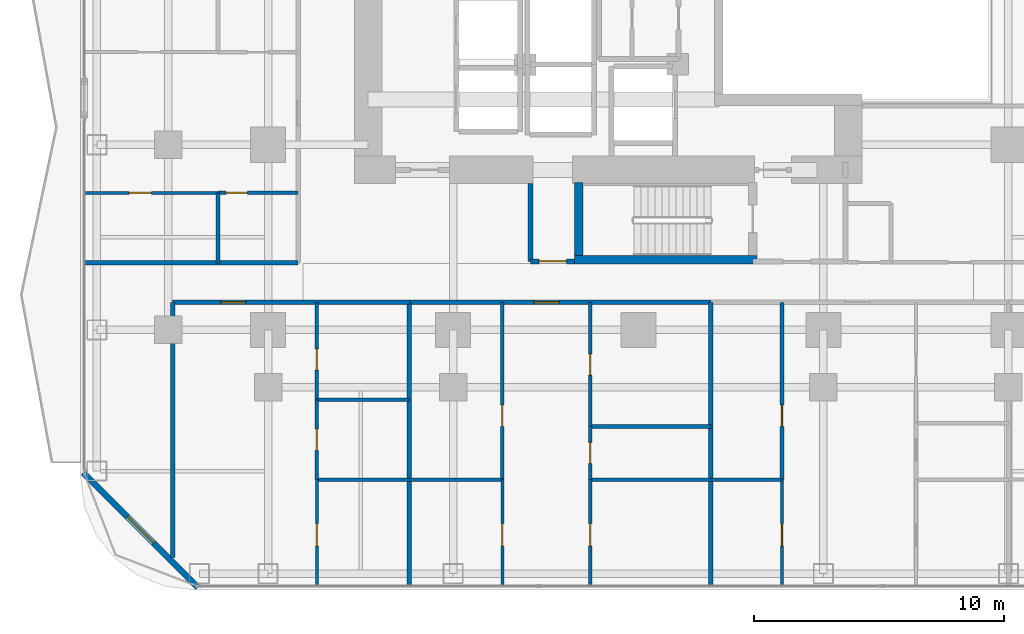
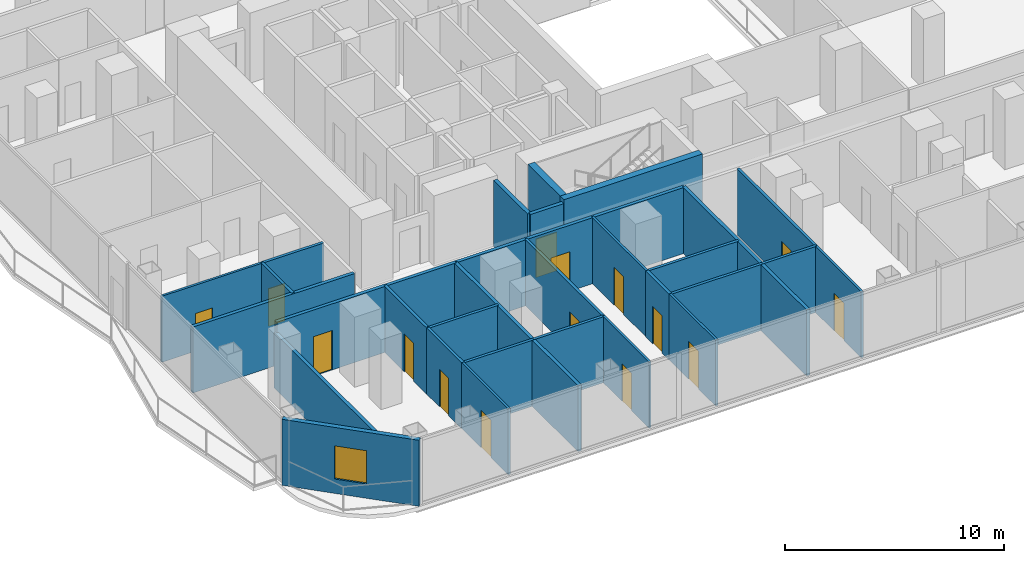
# One storey, part 20 of 28: 30 walls, 15 doors, 1 window, 16 openings.
"""IFC4 building model written with IfcOpenShell, lengths in metres."""

from ifc_helpers import new_model, si_unit, direction, frame, frame_2d, origin, place, context, subcontext, project, spatial, rectangle, extrude, material, layer, layer_set, type_object, element, fill, save


model = new_model("IFC4")

# Units and contexts
model_context = context("Model", 3, precision=1e-05, world=origin(), true_north=direction((0.0, 1.0)))
body_context = subcontext(model_context, "Body", "Model", "MODEL_VIEW")
ifc_project = project(units=[si_unit("LENGTHUNIT", "METRE"), si_unit("AREAUNIT", "SQUARE_METRE"), si_unit("VOLUMEUNIT", "CUBIC_METRE"), si_unit("PLANEANGLEUNIT", "RADIAN"), si_unit("MASSUNIT", "GRAM", prefix="KILO")], contexts=[model_context])

# Site, building, storey
site_placement = place(None, origin())
site = spatial("IfcSite", under=ifc_project, at=site_placement, CompositionType="ELEMENT")
building_placement = place(site_placement, origin())
building = spatial("IfcBuilding", under=site, at=building_placement, Name="Khorvyn Point Tower", CompositionType="ELEMENT")
storey_placement = place(building_placement, frame((0.0, 0.0, 34.5)))
storey = spatial("IfcBuildingStorey", under=building, at=storey_placement, Name="L09", CompositionType="ELEMENT", Elevation=34.5)

# Wall, opening, door
ifc_material_1 = material(Name="Double acoustic gypsum on twin steel stud", Category="steel")
ifc_layer_1 = layer(ifc_material_1, 0.179931640625)
ifc_layer_set_1 = layer_set([ifc_layer_1], Name="Acoustic Double-Stud Apartment Demising Wall 180")
wall_type_1 = type_object("IfcWallType", Name="Acoustic Double-Stud Apartment Demising Wall 180", PredefinedType="PARTITIONING", material=ifc_layer_set_1)
wall_1_placement = place(storey_placement, frame((-18.6201171875, -13.699951171875, 0.0), z_axis=(0.0, 0.0, 1.0), x_axis=(1.0, 0.0, 0.0)))
wall_1 = element("IfcWall", 1, at=wall_1_placement, inside=storey, type_object=wall_type_1, Name="Wall", PredefinedType="PARTITIONING", context=body_context, shape_type="SweptSolid", body=[
    extrude(rectangle(XDim=9.46923828125, YDim=0.179931640625, at=frame_2d((4.734619140625, 0.0))), origin(), (0.0, 0.0, 1.0), 3.679931640625),
])
opening_1_placement = place(wall_1_placement, frame((1.931396484375, 0.0, 0.0)))
opening_1 = element("IfcOpeningElement", 2, at=opening_1_placement, cuts=wall_1, Name="Opening ID-AP60", PredefinedType="OPENING", context=body_context, shape_type="SweptSolid", body=[
    extrude(rectangle(XDim=1.0, YDim=2.199951171875, at=frame_2d((0.5, 1.10009765625))), frame((0.0, 0.099853515625, 0.0), z_axis=(0.0, -1.0, 0.0), x_axis=(1.0, 0.0, 0.0)), (0.0, 0.0, 1.0), 0.199951171875),
])
ifc_material_2 = material(Name="Engineered hardwood fire-rated leaf", Category="wood")
door_type_1 = type_object("IfcDoorType", Name="Acoustic Solid-Core Timber Apartment Entrance Door 1000x2200", OperationType="NOTDEFINED", PredefinedType="DOOR", material=ifc_material_2)
door_1_placement = place(opening_1_placement, origin())
door_1 = element("IfcDoor", 3, at=door_1_placement, inside=storey, type_object=door_type_1, Name="Door", OperationType="SINGLE_SWING_LEFT", OverallHeight=2.199951171875, OverallWidth=1.0, PredefinedType="DOOR", context=body_context, shape_type="SweptSolid", body=[
    extrude(rectangle(XDim=1.0, YDim=2.199951171875, at=frame_2d((0.5, 1.10009765625))), frame((0.0, 0.02490234375, 0.0), z_axis=(0.0, -1.0, 0.0), x_axis=(1.0, 0.0, 0.0)), (0.0, 0.0, 1.0), 0.050048828125),
])
fill(opening_1, door_1)

wall_2_placement = place(storey_placement, frame((-9.15087890625, -13.699951171875, 0.0), z_axis=(0.0, 0.0, 1.0), x_axis=(1.0, 0.0, 0.0)))
wall_2 = element("IfcWall", 4, at=wall_2_placement, inside=storey, type_object=wall_type_1, Name="Wall", PredefinedType="PARTITIONING", context=body_context, shape_type="SweptSolid", body=[
    extrude(rectangle(XDim=12.05078125, YDim=0.179931640625, at=frame_2d((6.025390625, 0.0))), origin(), (0.0, 0.0, 1.0), 3.679931640625),
])
opening_2_placement = place(wall_2_placement, frame((4.989013671875, 0.0, 0.0)))
opening_2 = element("IfcOpeningElement", 5, at=opening_2_placement, cuts=wall_2, Name="Opening ID-AP60", PredefinedType="OPENING", context=body_context, shape_type="SweptSolid", body=[
    extrude(rectangle(XDim=1.0, YDim=2.199951171875, at=frame_2d((0.5, 1.10009765625))), frame((0.0, 0.099853515625, 0.0), z_axis=(0.0, -1.0, 0.0), x_axis=(1.0, 0.0, 0.0)), (0.0, 0.0, 1.0), 0.199951171875),
])
door_2_placement = place(opening_2_placement, origin())
door_2 = element("IfcDoor", 6, at=door_2_placement, inside=storey, type_object=door_type_1, Name="Door", OperationType="SINGLE_SWING_LEFT", OverallHeight=2.199951171875, OverallWidth=1.0, PredefinedType="DOOR", context=body_context, shape_type="SweptSolid", body=[
    extrude(rectangle(XDim=1.0, YDim=2.199951171875, at=frame_2d((0.5, 1.10009765625))), frame((0.0, 0.02490234375, 0.0), z_axis=(0.0, -1.0, 0.0), x_axis=(1.0, 0.0, 0.0)), (0.0, 0.0, 1.0), 0.050048828125),
])
fill(opening_2, door_2)

# Walls
wall_3_placement = place(storey_placement, frame((-18.6201171875, -23.909912109375, 0.0), z_axis=(0.0, 0.0, 1.0), x_axis=(0.0, 1.0, 0.0)))
element("IfcWall", 7, at=wall_3_placement, inside=storey, type_object=wall_type_1, Name="Wall", PredefinedType="PARTITIONING", context=body_context, shape_type="SweptSolid", body=[
    extrude(rectangle(XDim=10.2099609375, YDim=0.179931640625, at=frame_2d((5.10498046875, 0.0))), origin(), (0.0, 0.0, 1.0), 3.08203125),
])
for number, where, z_axis, x_axis, name in (
    (8, (-9.15087890625, -25.030029296875, 0.0), (0.0, 0.0, 1.0), (0.0, 1.0, 0.0), "Wall"),
    (9, (2.89990234375, -25.030029296875, 0.0), (0.0, 0.0, 1.0), (0.0, 1.0, 0.0), "Wall"),
):
    element("IfcWall", number, at=place(storey_placement, frame(where, z_axis=z_axis, x_axis=x_axis)), inside=storey, type_object=wall_type_1, Name=name, PredefinedType="PARTITIONING", context=body_context, shape_type="SweptSolid", body=[
        extrude(rectangle(XDim=11.330078125, YDim=0.179931640625, at=frame_2d((5.6650390625, 0.0))), origin(), (0.0, 0.0, 1.0), 3.679931640625),
    ])
wall_4_placement = place(storey_placement, frame((-22.1298828125, -12.1201171875, 0.0), z_axis=(0.0, 0.0, 1.0), x_axis=(1.0, 0.0, 0.0)))
element("IfcWall", 10, at=wall_4_placement, inside=storey, type_object=wall_type_1, Name="Wall", PredefinedType="PARTITIONING", context=body_context, shape_type="SweptSolid", body=[
    extrude(rectangle(XDim=8.52978515625, YDim=0.179931640625, at=frame_2d((4.264892578125, 0.0))), origin(), (0.0, 0.0, 1.0), 3.679931640625),
])

# Wall, opening, window
ifc_material_3 = material(Name="Pale anodised aluminium rainscreen on steel stud", Category="steel")
ifc_layer_2 = layer(ifc_material_3, 0.239990234375)
ifc_layer_set_2 = layer_set([ifc_layer_2], Name="Anodised Aluminium Insulated Corner Spandrel Wall 240")
wall_type_2 = type_object("IfcWallType", Name="Anodised Aluminium Insulated Corner Spandrel Wall 240", PredefinedType="SOLIDWALL", material=ifc_layer_set_2)
wall_5_placement = place(storey_placement, frame((-17.607666015625, -25.09228515625, 0.0), z_axis=(0.0, 0.0, 1.0), x_axis=(-0.707106781187, 0.707106781187, 0.0)))
wall_5 = element("IfcWall", 11, at=wall_5_placement, inside=storey, type_object=wall_type_2, Name="L09 Rounded Corner Wall SW", PredefinedType="SOLIDWALL", context=body_context, shape_type="SweptSolid", body=[
    extrude(rectangle(XDim=6.48388671875, YDim=0.239990234375, at=frame_2d((3.241943359375, 0.0))), origin(), (0.0, 0.0, 1.0), 3.679931640625),
])
opening_3_placement = place(wall_5_placement, frame((2.491943359375, 0.0, 0.800048828125)))
opening_3 = element("IfcOpeningElement", 12, at=opening_3_placement, cuts=wall_5, Name="Opening WN-1518", PredefinedType="OPENING", context=body_context, shape_type="SweptSolid", body=[
    extrude(rectangle(XDim=1.5, YDim=1.85009765625, at=frame_2d((0.75, 0.925048828125))), frame((0.0, 0.1298828125, 0.0), z_axis=(0.0, -1.0, 0.0), x_axis=(1.0, 0.0, 0.0)), (0.0, 0.0, 1.0), 0.260009765625),
])
ifc_material_4 = material(Name="Anodised aluminium 6063-T6 and laminated Low-E glass", Category="aluminium")
window_type = type_object("IfcWindowType", Name="Anodised Aluminium Rounded-Corner Panoramic Window 1500x1850", PartitioningType="SINGLE_PANEL", PredefinedType="WINDOW", material=ifc_material_4)
window_placement = place(opening_3_placement, origin())
window = element("IfcWindow", 13, at=window_placement, inside=storey, type_object=window_type, Name="L09 Corner Panoramic Window SW", OverallHeight=1.85009765625, OverallWidth=1.5, PartitioningType="SINGLE_PANEL", PredefinedType="WINDOW", context=body_context, shape_type="SweptSolid", body=[
    extrude(rectangle(XDim=1.5, YDim=1.85009765625, at=frame_2d((0.75, 0.925048828125))), frame((0.0, 0.030029296875, 0.0), z_axis=(0.0, -1.0, 0.0), x_axis=(1.0, 0.0, 0.0)), (0.0, 0.0, 1.0), 0.06005859375),
])
fill(opening_3, window)

# Wall, opening, door
ifc_material_5 = material(Name="Concrete C40/50", Category="concrete")
ifc_layer_3 = layer(ifc_material_5, 0.199951171875)
ifc_layer_set_3 = layer_set([ifc_layer_3], Name="Concrete C40/50 Fire-Lobby Compartment Wall 200")
wall_type_3 = type_object("IfcWallType", Name="Concrete C40/50 Fire-Lobby Compartment Wall 200", PredefinedType="SOLIDWALL", material=ifc_layer_set_3)
wall_6_placement = place(storey_placement, frame((-4.300048828125, -12.06005859375, 0.0), z_axis=(0.0, 0.0, 1.0), x_axis=(1.0, 0.0, 0.0)))
wall_6 = element("IfcWall", 14, at=wall_6_placement, inside=storey, type_object=wall_type_3, Name="Wall", PredefinedType="SOLIDWALL", context=body_context, shape_type="SweptSolid", body=[
    extrude(rectangle(XDim=1.75, YDim=0.199951171875, at=frame_2d((0.875, 0.0))), origin(), (0.0, 0.0, 1.0), 3.679931640625),
])
opening_4_placement = place(wall_6_placement, frame((0.324951171875, 0.0, 0.0)))
opening_4 = element("IfcOpeningElement", 15, at=opening_4_placement, cuts=wall_6, Name="Opening ID-FL90", PredefinedType="OPENING", context=body_context, shape_type="SweptSolid", body=[
    extrude(rectangle(XDim=1.10009765625, YDim=2.14990234375, at=frame_2d((0.550048828125, 1.074951171875))), frame((0.0, 0.10986328125, 0.0), z_axis=(0.0, -1.0, 0.0), x_axis=(1.0, 0.0, 0.0)), (0.0, 0.0, 1.0), 0.219970703125),
])
ifc_material_6 = material(Name="Galvanised powder-coated steel", Category="steel")
door_type_2 = type_object("IfcDoorType", Name="Fire-Rated Steel Lobby and Stair Door 1100x2150", OperationType="NOTDEFINED", PredefinedType="DOOR", material=ifc_material_6)
door_3_placement = place(opening_4_placement, origin())
door_3 = element("IfcDoor", 16, at=door_3_placement, inside=storey, type_object=door_type_2, Name="Door", OperationType="SINGLE_SWING_RIGHT", OverallHeight=2.14990234375, OverallWidth=1.10009765625, PredefinedType="DOOR", context=body_context, shape_type="SweptSolid", body=[
    extrude(rectangle(XDim=1.10009765625, YDim=2.14990234375, at=frame_2d((0.550048828125, 1.074951171875))), frame((0.0, 0.02490234375, 0.0), z_axis=(0.0, -1.0, 0.0), x_axis=(1.0, 0.0, 0.0)), (0.0, 0.0, 1.0), 0.050048828125),
])
fill(opening_4, door_3)

# Walls
wall_7_placement = place(storey_placement, frame((-4.300048828125, -12.06005859375, 0.0), z_axis=(0.0, 0.0, 1.0), x_axis=(0.0, 1.0, 0.0)))
element("IfcWall", 17, at=wall_7_placement, inside=storey, type_object=wall_type_3, Name="Wall", PredefinedType="SOLIDWALL", context=body_context, shape_type="SweptSolid", body=[
    extrude(rectangle(XDim=3.110107421875, YDim=0.199951171875, at=frame_2d((1.55517578125, 0.0))), origin(), (0.0, 0.0, 1.0), 3.679931640625),
])
ifc_layer_4 = layer(ifc_material_5, 0.35009765625)
ifc_layer_set_4 = layer_set([ifc_layer_4], Name="Concrete C40/50 Stair Shaft Structural Wall 350")
wall_type_4 = type_object("IfcWallType", Name="Concrete C40/50 Stair Shaft Structural Wall 350", PredefinedType="SHEAR", material=ifc_layer_set_4)
wall_8_placement = place(storey_placement, frame((-2.554931640625, -12.0, 0.0), z_axis=(0.0, 0.0, 1.0), x_axis=(1.0, 0.0, 0.0)))
element("IfcWall", 18, at=wall_8_placement, inside=storey, type_object=wall_type_4, Name="L09 ST-01 South Shaft Wall", PredefinedType="SHEAR", context=body_context, shape_type="SweptSolid", body=[
    extrude(rectangle(XDim=7.309814453125, YDim=0.35009765625, at=frame_2d((3.65478515625, 0.0))), origin(), (0.0, 0.0, 1.0), 3.89990234375),
])
wall_9_placement = place(storey_placement, frame((-2.3798828125, -11.824951171875, 0.0), z_axis=(0.0, 0.0, 1.0), x_axis=(0.0, 1.0, 0.0)))
element("IfcWall", 19, at=wall_9_placement, inside=storey, type_object=wall_type_4, Name="L09 ST-01 West Shaft Wall", PredefinedType="SHEAR", context=body_context, shape_type="SweptSolid", body=[
    extrude(rectangle(XDim=2.925048828125, YDim=0.35009765625, at=frame_2d((1.46240234375, 0.0))), origin(), (0.0, 0.0, 1.0), 3.89990234375),
])

# Wall, opening, door
ifc_material_7 = material(Name="Gypsum plasterboard on steel stud", Category="steel")
ifc_layer_5 = layer(ifc_material_7, 0.1201171875)
ifc_layer_set_5 = layer_set([ifc_layer_5], Name="Gypsum Acoustic Stud Room Partition Wall 120")
wall_type_5 = type_object("IfcWallType", Name="Gypsum Acoustic Stud Room Partition Wall 120", PredefinedType="PARTITIONING", material=ifc_layer_set_5)
wall_10_placement = place(storey_placement, frame((-12.85400390625, -25.030029296875, 0.0), z_axis=(0.0, 0.0, 1.0), x_axis=(0.0, 1.0, 0.0)))
wall_10 = element("IfcWall", 20, at=wall_10_placement, inside=storey, type_object=wall_type_5, Name="Wall", PredefinedType="PARTITIONING", context=body_context, shape_type="SweptSolid", body=[
    extrude(rectangle(XDim=4.239990234375, YDim=0.1201171875, at=frame_2d((2.1201171875, 0.0))), origin(), (0.0, 0.0, 1.0), 3.679931640625),
])
opening_5_placement = place(wall_10_placement, frame((1.581298828125, 0.0, 0.0)))
opening_5 = element("IfcOpeningElement", 21, at=opening_5_placement, cuts=wall_10, Name="Opening ID-RM90", PredefinedType="OPENING", context=body_context, shape_type="SweptSolid", body=[
    extrude(rectangle(XDim=0.89990234375, YDim=2.10009765625, at=frame_2d((0.449951171875, 1.050048828125))), frame((0.0, 0.070068359375, 0.0), z_axis=(0.0, -1.0, 0.0), x_axis=(1.0, 0.0, 0.0)), (0.0, 0.0, 1.0), 0.14013671875),
])
ifc_material_8 = material(Name="Engineered oak veneer timber", Category="wood")
door_type_3 = type_object("IfcDoorType", Name="Flush Engineered Timber Room Door 900x2100", OperationType="NOTDEFINED", PredefinedType="DOOR", material=ifc_material_8)
door_4_placement = place(opening_5_placement, origin())
door_4 = element("IfcDoor", 22, at=door_4_placement, inside=storey, type_object=door_type_3, Name="Door", OperationType="SINGLE_SWING_RIGHT", OverallHeight=2.10009765625, OverallWidth=0.89990234375, PredefinedType="DOOR", context=body_context, shape_type="SweptSolid", body=[
    extrude(rectangle(XDim=0.89990234375, YDim=2.10009765625, at=frame_2d((0.449951171875, 1.050048828125))), frame((0.0, 0.02490234375, 0.0), z_axis=(0.0, -1.0, 0.0), x_axis=(1.0, 0.0, 0.0)), (0.0, 0.0, 1.0), 0.050048828125),
])
fill(opening_5, door_4)

wall_11_placement = place(storey_placement, frame((-5.43408203125, -25.030029296875, 0.0), z_axis=(0.0, 0.0, 1.0), x_axis=(0.0, 1.0, 0.0)))
wall_11 = element("IfcWall", 23, at=wall_11_placement, inside=storey, type_object=wall_type_5, Name="Wall", PredefinedType="PARTITIONING", context=body_context, shape_type="SweptSolid", body=[
    extrude(rectangle(XDim=4.239990234375, YDim=0.1201171875, at=frame_2d((2.1201171875, 0.0))), origin(), (0.0, 0.0, 1.0), 3.679931640625),
])
opening_6_placement = place(wall_11_placement, frame((1.581298828125, 0.0, 0.0)))
opening_6 = element("IfcOpeningElement", 24, at=opening_6_placement, cuts=wall_11, Name="Opening ID-RM90", PredefinedType="OPENING", context=body_context, shape_type="SweptSolid", body=[
    extrude(rectangle(XDim=0.89990234375, YDim=2.10009765625, at=frame_2d((0.449951171875, 1.050048828125))), frame((0.0, 0.070068359375, 0.0), z_axis=(0.0, -1.0, 0.0), x_axis=(1.0, 0.0, 0.0)), (0.0, 0.0, 1.0), 0.14013671875),
])
door_5_placement = place(opening_6_placement, origin())
door_5 = element("IfcDoor", 25, at=door_5_placement, inside=storey, type_object=door_type_3, Name="Door", OperationType="SINGLE_SWING_LEFT", OverallHeight=2.10009765625, OverallWidth=0.89990234375, PredefinedType="DOOR", context=body_context, shape_type="SweptSolid", body=[
    extrude(rectangle(XDim=0.89990234375, YDim=2.10009765625, at=frame_2d((0.449951171875, 1.050048828125))), frame((0.0, 0.02490234375, 0.0), z_axis=(0.0, -1.0, 0.0), x_axis=(1.0, 0.0, 0.0)), (0.0, 0.0, 1.0), 0.050048828125),
])
fill(opening_6, door_5)

wall_12_placement = place(storey_placement, frame((-1.919921875, -18.6630859375, 0.0), z_axis=(0.0, 0.0, 1.0), x_axis=(0.0, 1.0, 0.0)))
wall_12 = element("IfcWall", 26, at=wall_12_placement, inside=storey, type_object=wall_type_5, Name="Wall", PredefinedType="PARTITIONING", context=body_context, shape_type="SweptSolid", body=[
    extrude(rectangle(XDim=4.963134765625, YDim=0.1201171875, at=frame_2d((2.4814453125, 0.0))), origin(), (0.0, 0.0, 1.0), 3.679931640625),
])
opening_7_placement = place(wall_12_placement, frame((2.056396484375, 0.0, 0.0)))
opening_7 = element("IfcOpeningElement", 27, at=opening_7_placement, cuts=wall_12, Name="Opening ID-WC85", PredefinedType="OPENING", context=body_context, shape_type="SweptSolid", body=[
    extrude(rectangle(XDim=0.85009765625, YDim=2.10009765625, at=frame_2d((0.425048828125, 1.050048828125))), frame((0.0, 0.070068359375, 0.0), z_axis=(0.0, -1.0, 0.0), x_axis=(1.0, 0.0, 0.0)), (0.0, 0.0, 1.0), 0.14013671875),
])
ifc_material_9 = material(Name="High-pressure laminate on moisture-resistant core", Category="wood")
door_type_4 = type_object("IfcDoorType", Name="Moisture-Resistant Accessible Washroom Door 850x2100", OperationType="NOTDEFINED", PredefinedType="DOOR", material=ifc_material_9)
door_6_placement = place(opening_7_placement, origin())
door_6 = element("IfcDoor", 28, at=door_6_placement, inside=storey, type_object=door_type_4, Name="Door", OperationType="SINGLE_SWING_LEFT", OverallHeight=2.10009765625, OverallWidth=0.85009765625, PredefinedType="DOOR", context=body_context, shape_type="SweptSolid", body=[
    extrude(rectangle(XDim=0.85009765625, YDim=2.10009765625, at=frame_2d((0.425048828125, 1.050048828125))), frame((0.0, 0.02490234375, 0.0), z_axis=(0.0, -1.0, 0.0), x_axis=(1.0, 0.0, 0.0)), (0.0, 0.0, 1.0), 0.050048828125),
])
fill(opening_7, door_6)

wall_13_placement = place(storey_placement, frame((-1.919921875, -25.030029296875, 0.0), z_axis=(0.0, 0.0, 1.0), x_axis=(0.0, 1.0, 0.0)))
wall_13 = element("IfcWall", 29, at=wall_13_placement, inside=storey, type_object=wall_type_5, Name="Wall", PredefinedType="PARTITIONING", context=body_context, shape_type="SweptSolid", body=[
    extrude(rectangle(XDim=4.239990234375, YDim=0.1201171875, at=frame_2d((2.1201171875, 0.0))), origin(), (0.0, 0.0, 1.0), 3.679931640625),
])
opening_8_placement = place(wall_13_placement, frame((1.581298828125, 0.0, 0.0)))
opening_8 = element("IfcOpeningElement", 30, at=opening_8_placement, cuts=wall_13, Name="Opening ID-RM90", PredefinedType="OPENING", context=body_context, shape_type="SweptSolid", body=[
    extrude(rectangle(XDim=0.89990234375, YDim=2.10009765625, at=frame_2d((0.449951171875, 1.050048828125))), frame((0.0, 0.070068359375, 0.0), z_axis=(0.0, -1.0, 0.0), x_axis=(1.0, 0.0, 0.0)), (0.0, 0.0, 1.0), 0.14013671875),
])
door_7_placement = place(opening_8_placement, origin())
door_7 = element("IfcDoor", 31, at=door_7_placement, inside=storey, type_object=door_type_3, Name="Door", OperationType="SINGLE_SWING_RIGHT", OverallHeight=2.10009765625, OverallWidth=0.89990234375, PredefinedType="DOOR", context=body_context, shape_type="SweptSolid", body=[
    extrude(rectangle(XDim=0.89990234375, YDim=2.10009765625, at=frame_2d((0.449951171875, 1.050048828125))), frame((0.0, 0.02490234375, 0.0), z_axis=(0.0, -1.0, 0.0), x_axis=(1.0, 0.0, 0.0)), (0.0, 0.0, 1.0), 0.050048828125),
])
fill(opening_8, door_7)

wall_14_placement = place(storey_placement, frame((5.75, -25.030029296875, 0.0), z_axis=(0.0, 0.0, 1.0), x_axis=(0.0, 1.0, 0.0)))
wall_14 = element("IfcWall", 32, at=wall_14_placement, inside=storey, type_object=wall_type_5, Name="Wall", PredefinedType="PARTITIONING", context=body_context, shape_type="SweptSolid", body=[
    extrude(rectangle(XDim=4.239990234375, YDim=0.1201171875, at=frame_2d((2.1201171875, 0.0))), origin(), (0.0, 0.0, 1.0), 3.679931640625),
])
opening_9_placement = place(wall_14_placement, frame((1.581298828125, 0.0, 0.0)))
opening_9 = element("IfcOpeningElement", 33, at=opening_9_placement, cuts=wall_14, Name="Opening ID-RM90", PredefinedType="OPENING", context=body_context, shape_type="SweptSolid", body=[
    extrude(rectangle(XDim=0.89990234375, YDim=2.10009765625, at=frame_2d((0.449951171875, 1.050048828125))), frame((0.0, 0.070068359375, 0.0), z_axis=(0.0, -1.0, 0.0), x_axis=(1.0, 0.0, 0.0)), (0.0, 0.0, 1.0), 0.14013671875),
])
door_8_placement = place(opening_9_placement, origin())
door_8 = element("IfcDoor", 34, at=door_8_placement, inside=storey, type_object=door_type_3, Name="Door", OperationType="SINGLE_SWING_LEFT", OverallHeight=2.10009765625, OverallWidth=0.89990234375, PredefinedType="DOOR", context=body_context, shape_type="SweptSolid", body=[
    extrude(rectangle(XDim=0.89990234375, YDim=2.10009765625, at=frame_2d((0.449951171875, 1.050048828125))), frame((0.0, 0.02490234375, 0.0), z_axis=(0.0, -1.0, 0.0), x_axis=(1.0, 0.0, 0.0)), (0.0, 0.0, 1.0), 0.050048828125),
])
fill(opening_9, door_8)

wall_15_placement = place(storey_placement, frame((-22.1298828125, -9.320068359375, 0.0), z_axis=(0.0, 0.0, 1.0), x_axis=(1.0, 0.0, 0.0)))
wall_15 = element("IfcWall", 35, at=wall_15_placement, inside=storey, type_object=wall_type_5, Name="Wall", PredefinedType="PARTITIONING", context=body_context, shape_type="SweptSolid", body=[
    extrude(rectangle(XDim=5.32177734375, YDim=0.1201171875, at=frame_2d((2.660888671875, 0.0))), origin(), (0.0, 0.0, 1.0), 3.679931640625),
])
opening_10_placement = place(wall_15_placement, frame((1.76513671875, 0.0, 0.0)))
opening_10 = element("IfcOpeningElement", 36, at=opening_10_placement, cuts=wall_15, Name="Opening ID-RM90", PredefinedType="OPENING", context=body_context, shape_type="SweptSolid", body=[
    extrude(rectangle(XDim=0.89990234375, YDim=2.10009765625, at=frame_2d((0.449951171875, 1.050048828125))), frame((0.0, 0.070068359375, 0.0), z_axis=(0.0, -1.0, 0.0), x_axis=(1.0, 0.0, 0.0)), (0.0, 0.0, 1.0), 0.14013671875),
])
door_9_placement = place(opening_10_placement, origin())
door_9 = element("IfcDoor", 37, at=door_9_placement, inside=storey, type_object=door_type_3, Name="Door", OperationType="SINGLE_SWING_LEFT", OverallHeight=2.10009765625, OverallWidth=0.89990234375, PredefinedType="DOOR", context=body_context, shape_type="SweptSolid", body=[
    extrude(rectangle(XDim=0.89990234375, YDim=2.10009765625, at=frame_2d((0.449951171875, 1.050048828125))), frame((0.0, 0.02490234375, 0.0), z_axis=(0.0, -1.0, 0.0), x_axis=(1.0, 0.0, 0.0)), (0.0, 0.0, 1.0), 0.050048828125),
])
fill(opening_10, door_9)

ifc_material_10 = material(Name="Moisture-resistant gypsum and cement board", Category="gypsum")
ifc_layer_6 = layer(ifc_material_10, 0.14990234375)
ifc_layer_set_6 = layer_set([ifc_layer_6], Name="Moisture-Resistant Wet-Room Partition Wall 150")
wall_type_6 = type_object("IfcWallType", Name="Moisture-Resistant Wet-Room Partition Wall 150", PredefinedType="PARTITIONING", material=ifc_layer_set_6)
wall_16_placement = place(storey_placement, frame((-12.85400390625, -17.59912109375, 0.0), z_axis=(0.0, 0.0, 1.0), x_axis=(0.0, 1.0, 0.0)))
wall_16 = element("IfcWall", 38, at=wall_16_placement, inside=storey, type_object=wall_type_6, Name="Wall", PredefinedType="PARTITIONING", context=body_context, shape_type="SweptSolid", body=[
    extrude(rectangle(XDim=3.899169921875, YDim=0.14990234375, at=frame_2d((1.94970703125, 0.0))), origin(), (0.0, 0.0, 1.0), 3.679931640625),
])
opening_11_placement = place(wall_16_placement, frame((1.183349609375, 0.0, 0.0)))
opening_11 = element("IfcOpeningElement", 39, at=opening_11_placement, cuts=wall_16, Name="Opening ID-WC85", PredefinedType="OPENING", context=body_context, shape_type="SweptSolid", body=[
    extrude(rectangle(XDim=0.85009765625, YDim=2.10009765625, at=frame_2d((0.425048828125, 1.050048828125))), frame((0.0, 0.0849609375, 0.0), z_axis=(0.0, -1.0, 0.0), x_axis=(1.0, 0.0, 0.0)), (0.0, 0.0, 1.0), 0.169921875),
])
door_10_placement = place(opening_11_placement, origin())
door_10 = element("IfcDoor", 40, at=door_10_placement, inside=storey, type_object=door_type_4, Name="Door", OperationType="SINGLE_SWING_RIGHT", OverallHeight=2.10009765625, OverallWidth=0.85009765625, PredefinedType="DOOR", context=body_context, shape_type="SweptSolid", body=[
    extrude(rectangle(XDim=0.85009765625, YDim=2.10009765625, at=frame_2d((0.425048828125, 1.050048828125))), frame((0.0, 0.02490234375, 0.0), z_axis=(0.0, -1.0, 0.0), x_axis=(1.0, 0.0, 0.0)), (0.0, 0.0, 1.0), 0.050048828125),
])
fill(opening_11, door_10)

wall_17_placement = place(storey_placement, frame((-12.85400390625, -20.7900390625, 0.0), z_axis=(0.0, 0.0, 1.0), x_axis=(0.0, 1.0, 0.0)))
wall_17 = element("IfcWall", 41, at=wall_17_placement, inside=storey, type_object=wall_type_6, Name="Wall", PredefinedType="PARTITIONING", context=body_context, shape_type="SweptSolid", body=[
    extrude(rectangle(XDim=3.19091796875, YDim=0.14990234375, at=frame_2d((1.595458984375, 0.0))), origin(), (0.0, 0.0, 1.0), 3.679931640625),
])
opening_12_placement = place(wall_17_placement, frame((1.17041015625, 0.0, 0.0)))
opening_12 = element("IfcOpeningElement", 42, at=opening_12_placement, cuts=wall_17, Name="Opening ID-WC85", PredefinedType="OPENING", context=body_context, shape_type="SweptSolid", body=[
    extrude(rectangle(XDim=0.85009765625, YDim=2.10009765625, at=frame_2d((0.425048828125, 1.050048828125))), frame((0.0, 0.0849609375, 0.0), z_axis=(0.0, -1.0, 0.0), x_axis=(1.0, 0.0, 0.0)), (0.0, 0.0, 1.0), 0.169921875),
])
door_11_placement = place(opening_12_placement, origin())
door_11 = element("IfcDoor", 43, at=door_11_placement, inside=storey, type_object=door_type_4, Name="Door", OperationType="SINGLE_SWING_LEFT", OverallHeight=2.10009765625, OverallWidth=0.85009765625, PredefinedType="DOOR", context=body_context, shape_type="SweptSolid", body=[
    extrude(rectangle(XDim=0.85009765625, YDim=2.10009765625, at=frame_2d((0.425048828125, 1.050048828125))), frame((0.0, 0.02490234375, 0.0), z_axis=(0.0, -1.0, 0.0), x_axis=(1.0, 0.0, 0.0)), (0.0, 0.0, 1.0), 0.050048828125),
])
fill(opening_12, door_11)

wall_18_placement = place(storey_placement, frame((-5.43408203125, -20.7900390625, 0.0), z_axis=(0.0, 0.0, 1.0), x_axis=(0.0, 1.0, 0.0)))
wall_18 = element("IfcWall", 44, at=wall_18_placement, inside=storey, type_object=wall_type_6, Name="Wall", PredefinedType="PARTITIONING", context=body_context, shape_type="SweptSolid", body=[
    extrude(rectangle(XDim=7.090087890625, YDim=0.14990234375, at=frame_2d((3.544921875, 0.0))), origin(), (0.0, 0.0, 1.0), 3.679931640625),
])
opening_13_placement = place(wall_18_placement, frame((2.13330078125, 0.0, 0.0)))
opening_13 = element("IfcOpeningElement", 45, at=opening_13_placement, cuts=wall_18, Name="Opening ID-WC85", PredefinedType="OPENING", context=body_context, shape_type="SweptSolid", body=[
    extrude(rectangle(XDim=0.85009765625, YDim=2.10009765625, at=frame_2d((0.425048828125, 1.050048828125))), frame((0.0, 0.0849609375, 0.0), z_axis=(0.0, -1.0, 0.0), x_axis=(1.0, 0.0, 0.0)), (0.0, 0.0, 1.0), 0.169921875),
])
door_12_placement = place(opening_13_placement, origin())
door_12 = element("IfcDoor", 46, at=door_12_placement, inside=storey, type_object=door_type_4, Name="Door", OperationType="SINGLE_SWING_RIGHT", OverallHeight=2.10009765625, OverallWidth=0.85009765625, PredefinedType="DOOR", context=body_context, shape_type="SweptSolid", body=[
    extrude(rectangle(XDim=0.85009765625, YDim=2.10009765625, at=frame_2d((0.425048828125, 1.050048828125))), frame((0.0, 0.02490234375, 0.0), z_axis=(0.0, -1.0, 0.0), x_axis=(1.0, 0.0, 0.0)), (0.0, 0.0, 1.0), 0.050048828125),
])
fill(opening_13, door_12)

wall_19_placement = place(storey_placement, frame((-1.919921875, -20.7900390625, 0.0), z_axis=(0.0, 0.0, 1.0), x_axis=(0.0, 1.0, 0.0)))
wall_19 = element("IfcWall", 47, at=wall_19_placement, inside=storey, type_object=wall_type_6, Name="Wall", PredefinedType="PARTITIONING", context=body_context, shape_type="SweptSolid", body=[
    extrude(rectangle(XDim=2.126953125, YDim=0.14990234375, at=frame_2d((1.0634765625, 0.0))), origin(), (0.0, 0.0, 1.0), 3.679931640625),
])
opening_14_placement = place(wall_19_placement, frame((0.638427734375, 0.0, 0.0)))
opening_14 = element("IfcOpeningElement", 48, at=opening_14_placement, cuts=wall_19, Name="Opening ID-WC85", PredefinedType="OPENING", context=body_context, shape_type="SweptSolid", body=[
    extrude(rectangle(XDim=0.85009765625, YDim=2.10009765625, at=frame_2d((0.425048828125, 1.050048828125))), frame((0.0, 0.0849609375, 0.0), z_axis=(0.0, -1.0, 0.0), x_axis=(1.0, 0.0, 0.0)), (0.0, 0.0, 1.0), 0.169921875),
])
door_13_placement = place(opening_14_placement, origin())
door_13 = element("IfcDoor", 49, at=door_13_placement, inside=storey, type_object=door_type_4, Name="Door", OperationType="SINGLE_SWING_RIGHT", OverallHeight=2.10009765625, OverallWidth=0.85009765625, PredefinedType="DOOR", context=body_context, shape_type="SweptSolid", body=[
    extrude(rectangle(XDim=0.85009765625, YDim=2.10009765625, at=frame_2d((0.425048828125, 1.050048828125))), frame((0.0, 0.02490234375, 0.0), z_axis=(0.0, -1.0, 0.0), x_axis=(1.0, 0.0, 0.0)), (0.0, 0.0, 1.0), 0.050048828125),
])
fill(opening_14, door_13)

wall_20_placement = place(storey_placement, frame((5.75, -20.7900390625, 0.0), z_axis=(0.0, 0.0, 1.0), x_axis=(0.0, 1.0, 0.0)))
wall_20 = element("IfcWall", 50, at=wall_20_placement, inside=storey, type_object=wall_type_6, Name="Wall", PredefinedType="PARTITIONING", context=body_context, shape_type="SweptSolid", body=[
    extrude(rectangle(XDim=7.090087890625, YDim=0.14990234375, at=frame_2d((3.544921875, 0.0))), origin(), (0.0, 0.0, 1.0), 3.679931640625),
])
opening_15_placement = place(wall_20_placement, frame((2.13330078125, 0.0, 0.0)))
opening_15 = element("IfcOpeningElement", 51, at=opening_15_placement, cuts=wall_20, Name="Opening ID-WC85", PredefinedType="OPENING", context=body_context, shape_type="SweptSolid", body=[
    extrude(rectangle(XDim=0.85009765625, YDim=2.10009765625, at=frame_2d((0.425048828125, 1.050048828125))), frame((0.0, 0.0849609375, 0.0), z_axis=(0.0, -1.0, 0.0), x_axis=(1.0, 0.0, 0.0)), (0.0, 0.0, 1.0), 0.169921875),
])
door_14_placement = place(opening_15_placement, origin())
door_14 = element("IfcDoor", 52, at=door_14_placement, inside=storey, type_object=door_type_4, Name="Door", OperationType="SINGLE_SWING_RIGHT", OverallHeight=2.10009765625, OverallWidth=0.85009765625, PredefinedType="DOOR", context=body_context, shape_type="SweptSolid", body=[
    extrude(rectangle(XDim=0.85009765625, YDim=2.10009765625, at=frame_2d((0.425048828125, 1.050048828125))), frame((0.0, 0.02490234375, 0.0), z_axis=(0.0, -1.0, 0.0), x_axis=(1.0, 0.0, 0.0)), (0.0, 0.0, 1.0), 0.050048828125),
])
fill(opening_15, door_14)

wall_21_placement = place(storey_placement, frame((-16.80810546875, -9.320068359375, 0.0), z_axis=(0.0, 0.0, 1.0), x_axis=(1.0, 0.0, 0.0)))
wall_21 = element("IfcWall", 53, at=wall_21_placement, inside=storey, type_object=wall_type_6, Name="Wall", PredefinedType="PARTITIONING", context=body_context, shape_type="SweptSolid", body=[
    extrude(rectangle(XDim=3.2080078125, YDim=0.14990234375, at=frame_2d((1.60400390625, 0.0))), origin(), (0.0, 0.0, 1.0), 3.679931640625),
])
opening_16_placement = place(wall_21_placement, frame((0.329833984375, 0.0, 0.0)))
opening_16 = element("IfcOpeningElement", 54, at=opening_16_placement, cuts=wall_21, Name="Opening ID-WC85", PredefinedType="OPENING", context=body_context, shape_type="SweptSolid", body=[
    extrude(rectangle(XDim=0.85009765625, YDim=2.10009765625, at=frame_2d((0.425048828125, 1.050048828125))), frame((0.0, 0.0849609375, 0.0), z_axis=(0.0, -1.0, 0.0), x_axis=(1.0, 0.0, 0.0)), (0.0, 0.0, 1.0), 0.169921875),
])
door_15_placement = place(opening_16_placement, origin())
door_15 = element("IfcDoor", 55, at=door_15_placement, inside=storey, type_object=door_type_4, Name="Door", OperationType="SINGLE_SWING_RIGHT", OverallHeight=2.10009765625, OverallWidth=0.85009765625, PredefinedType="DOOR", context=body_context, shape_type="SweptSolid", body=[
    extrude(rectangle(XDim=0.85009765625, YDim=2.10009765625, at=frame_2d((0.425048828125, 1.050048828125))), frame((0.0, 0.02490234375, 0.0), z_axis=(0.0, -1.0, 0.0), x_axis=(1.0, 0.0, 0.0)), (0.0, 0.0, 1.0), 0.050048828125),
])
fill(opening_16, door_15)

# Walls
for number, where, z_axis, x_axis, name in (
    (56, (-12.85400390625, -17.59912109375, 0.0), (0.0, 0.0, 1.0), (1.0, 0.0, 0.0), "Wall"),
    (57, (-12.85400390625, -20.7900390625, 0.0), (0.0, 0.0, 1.0), (1.0, 0.0, 0.0), "Wall"),
):
    element("IfcWall", number, at=place(storey_placement, frame(where, z_axis=z_axis, x_axis=x_axis)), inside=storey, type_object=wall_type_6, Name=name, PredefinedType="PARTITIONING", context=body_context, shape_type="SweptSolid", body=[
        extrude(rectangle(XDim=3.703125, YDim=0.14990234375, at=frame_2d((1.8515625, 0.0))), origin(), (0.0, 0.0, 1.0), 3.679931640625),
    ])
wall_22_placement = place(storey_placement, frame((-9.15087890625, -20.7900390625, 0.0), z_axis=(0.0, 0.0, 1.0), x_axis=(1.0, 0.0, 0.0)))
element("IfcWall", 58, at=wall_22_placement, inside=storey, type_object=wall_type_6, Name="Wall", PredefinedType="PARTITIONING", context=body_context, shape_type="SweptSolid", body=[
    extrude(rectangle(XDim=3.716796875, YDim=0.14990234375, at=frame_2d((1.8583984375, 0.0))), origin(), (0.0, 0.0, 1.0), 3.679931640625),
])
for number, where, z_axis, x_axis, name in (
    (59, (-1.919921875, -18.6630859375, 0.0), (0.0, 0.0, 1.0), (1.0, 0.0, 0.0), "Wall"),
    (60, (-1.919921875, -20.7900390625, 0.0), (0.0, 0.0, 1.0), (1.0, 0.0, 0.0), "Wall"),
):
    element("IfcWall", number, at=place(storey_placement, frame(where, z_axis=z_axis, x_axis=x_axis)), inside=storey, type_object=wall_type_6, Name=name, PredefinedType="PARTITIONING", context=body_context, shape_type="SweptSolid", body=[
        extrude(rectangle(XDim=4.81982421875, YDim=0.14990234375, at=frame_2d((2.409912109375, 0.0))), origin(), (0.0, 0.0, 1.0), 3.679931640625),
    ])
wall_23_placement = place(storey_placement, frame((2.89990234375, -20.7900390625, 0.0), z_axis=(0.0, 0.0, 1.0), x_axis=(1.0, 0.0, 0.0)))
element("IfcWall", 61, at=wall_23_placement, inside=storey, type_object=wall_type_6, Name="Wall", PredefinedType="PARTITIONING", context=body_context, shape_type="SweptSolid", body=[
    extrude(rectangle(XDim=2.85009765625, YDim=0.14990234375, at=frame_2d((1.425048828125, 0.0))), origin(), (0.0, 0.0, 1.0), 3.679931640625),
])
wall_24_placement = place(storey_placement, frame((-16.80810546875, -12.1201171875, 0.0), z_axis=(0.0, 0.0, 1.0), x_axis=(0.0, 1.0, 0.0)))
element("IfcWall", 62, at=wall_24_placement, inside=storey, type_object=wall_type_6, Name="Wall", PredefinedType="PARTITIONING", context=body_context, shape_type="SweptSolid", body=[
    extrude(rectangle(XDim=2.800048828125, YDim=0.14990234375, at=frame_2d((1.39990234375, 0.0))), origin(), (0.0, 0.0, 1.0), 3.679931640625),
])

save(model, "model.ifc")
